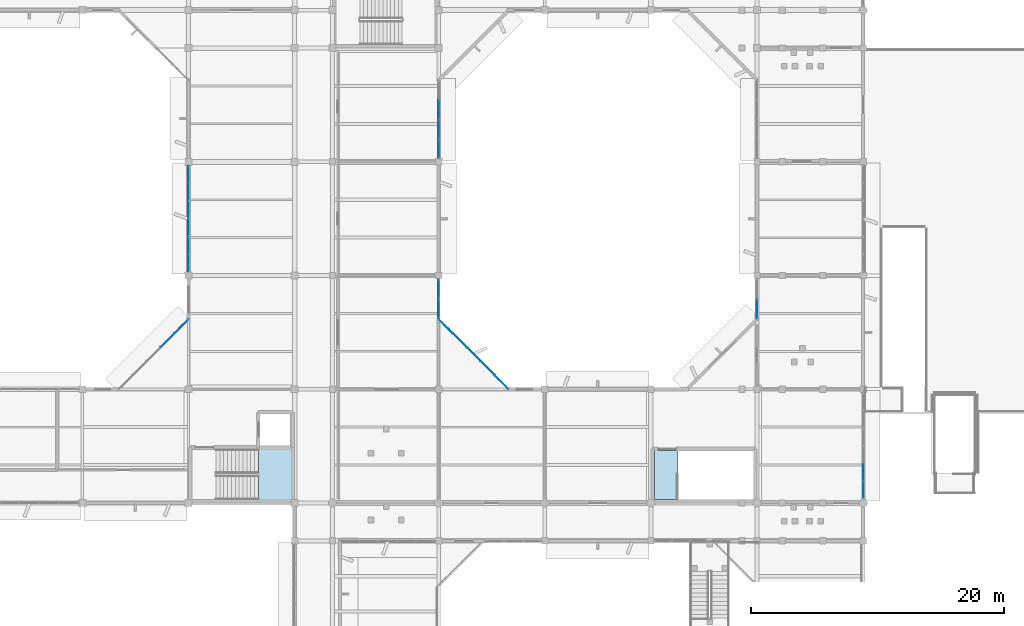
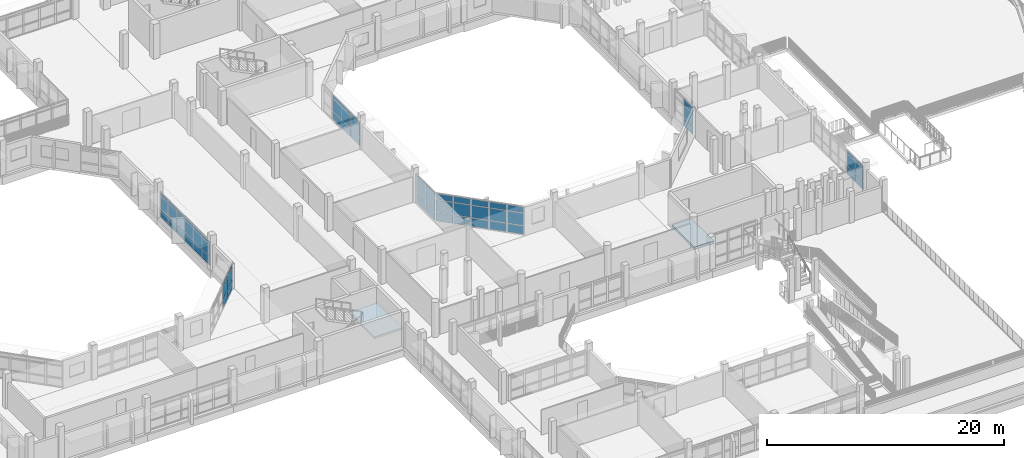
# One storey, part 50 of 92: 63 plates, 2 slabs, 8 elements without a shape of their own.
"""IFC4 building model written with IfcOpenShell, lengths in metres."""

from ifc_helpers import new_model, si_unit, direction, frame, origin, origin_2d, place, context, subcontext, project, spatial, polyline, rectangle, outline, extrude, material, layer, layer_set, type_object, element, aggregate, save


model = new_model("IFC4")

# Units and contexts
model_context = context("Model", 3, precision=1e-05, world=origin(), true_north=direction((0.0, 1.0)))
body_context = subcontext(model_context, "Body", "Model", "MODEL_VIEW")
ifc_project = project(units=[si_unit("LENGTHUNIT", "METRE"), si_unit("AREAUNIT", "SQUARE_METRE"), si_unit("VOLUMEUNIT", "CUBIC_METRE"), si_unit("PLANEANGLEUNIT", "RADIAN"), si_unit("MASSUNIT", "GRAM", prefix="KILO")], contexts=[model_context])

# Site, building, storey
site_placement = place(None, origin())
site = spatial("IfcSite", under=ifc_project, at=site_placement, CompositionType="ELEMENT")
building_placement = place(site_placement, origin())
building = spatial("IfcBuilding", under=site, at=building_placement, Name="Vanh Quang Courtyard School", CompositionType="ELEMENT")
storey_placement = place(building_placement, frame((0.0, 0.0, 7.800048828125)))
storey = spatial("IfcBuildingStorey", under=building, at=storey_placement, Name="L02", CompositionType="ELEMENT", Elevation=7.800048828125)

# Curtain wall, plates
ifc_material_1 = material(Name="Thermally broken aluminium unitised curtain wall", Category="aluminium")
curtain_wall_type_1 = type_object("IfcCurtainWallType", Name="CW-SYS-24", PredefinedType="NOTDEFINED", material=ifc_material_1)
curtain_wall_1_placement = place(storey_placement, origin())
curtain_wall_1 = element("IfcCurtainWall", 1, at=curtain_wall_1_placement, inside=storey, type_object=curtain_wall_type_1, Name="Curtain Wall CW-24 (L02)", PredefinedType="NOTDEFINED")
ifc_material_2 = material(Name="Low-E laminated double glazing", Category="glass")
ifc_layer_1 = layer(ifc_material_2, 0.028076171875)
ifc_layer_set_1 = layer_set([ifc_layer_1], Name="Low-E laminated double glazing")
plate_type_1 = type_object("IfcPlateType", Name="CW-PNL-28", PredefinedType="CURTAIN_PANEL", material=ifc_layer_set_1)
plate_1_placement = place(storey_placement, frame((64.3369140625, 45.28076171875, 0.06005859375), z_axis=(0.0, 0.0, 1.0), x_axis=(0.707106781187, 0.707106781187, 0.0)))
plate_1 = element("IfcPlate", 2, at=plate_1_placement, type_object=plate_type_1, Name="CW-24 panel 4.1", PredefinedType="CURTAIN_PANEL", context=body_context, shape_type="SweptSolid", body=[
    extrude(rectangle(XDim=1.508056640625, YDim=0.028076171875, at=origin_2d()), origin(), (0.0, 0.0, 1.0), 0.860107421875),
])
plate_2_placement = place(storey_placement, frame((64.3369140625, 45.28076171875, 0.97998046875), z_axis=(0.0, 0.0, 1.0), x_axis=(0.707106781187, 0.707106781187, 0.0)))
plate_2 = element("IfcPlate", 3, at=plate_2_placement, type_object=plate_type_1, Name="CW-24 panel 4.2", PredefinedType="CURTAIN_PANEL", context=body_context, shape_type="SweptSolid", body=[
    extrude(rectangle(XDim=1.508056640625, YDim=0.028076171875, at=origin_2d()), origin(), (0.0, 0.0, 1.0), 1.239990234375),
])
plate_3_placement = place(storey_placement, frame((64.3369140625, 45.28076171875, 2.280029296875), z_axis=(0.0, 0.0, 1.0), x_axis=(0.707106781187, 0.707106781187, 0.0)))
plate_3 = element("IfcPlate", 4, at=plate_3_placement, type_object=plate_type_1, Name="CW-24 panel 4.3", PredefinedType="CURTAIN_PANEL", context=body_context, shape_type="SweptSolid", body=[
    extrude(rectangle(XDim=1.508056640625, YDim=0.028076171875, at=origin_2d()), origin(), (0.0, 0.0, 1.0), 0.31005859375),
])
plate_4_placement = place(storey_placement, frame((65.43505859375, 46.37890625, 0.06005859375), z_axis=(0.0, 0.0, 1.0), x_axis=(0.707106781187, 0.707106781187, 0.0)))
plate_4 = element("IfcPlate", 5, at=plate_4_placement, type_object=plate_type_1, Name="CW-24 panel 5.1", PredefinedType="CURTAIN_PANEL", context=body_context, shape_type="SweptSolid", body=[
    extrude(rectangle(XDim=1.47802734375, YDim=0.028076171875, at=origin_2d()), origin(), (0.0, 0.0, 1.0), 0.860107421875),
])
plate_5_placement = place(storey_placement, frame((65.43505859375, 46.37890625, 0.97998046875), z_axis=(0.0, 0.0, 1.0), x_axis=(0.707106781187, 0.707106781187, 0.0)))
plate_5 = element("IfcPlate", 6, at=plate_5_placement, type_object=plate_type_1, Name="CW-24 panel 5.2", PredefinedType="CURTAIN_PANEL", context=body_context, shape_type="SweptSolid", body=[
    extrude(rectangle(XDim=1.47802734375, YDim=0.028076171875, at=origin_2d()), origin(), (0.0, 0.0, 1.0), 1.239990234375),
])
plate_6_placement = place(storey_placement, frame((65.43505859375, 46.37890625, 2.280029296875), z_axis=(0.0, 0.0, 1.0), x_axis=(0.707106781187, 0.707106781187, 0.0)))
plate_6 = element("IfcPlate", 7, at=plate_6_placement, type_object=plate_type_1, Name="CW-24 panel 5.3", PredefinedType="CURTAIN_PANEL", context=body_context, shape_type="SweptSolid", body=[
    extrude(rectangle(XDim=1.47802734375, YDim=0.028076171875, at=origin_2d()), origin(), (0.0, 0.0, 1.0), 0.31005859375),
])
aggregate(curtain_wall_1, [plate_1, plate_2, plate_3, plate_4, plate_5, plate_6])

curtain_wall_type_2 = type_object("IfcCurtainWallType", Name="CW-SYS-52", PredefinedType="NOTDEFINED", material=ifc_material_1)
curtain_wall_2_placement = place(storey_placement, origin())
curtain_wall_2 = element("IfcCurtainWall", 8, at=curtain_wall_2_placement, inside=storey, type_object=curtain_wall_type_2, Name="Curtain Wall CW-52 (L02)", PredefinedType="NOTDEFINED")
plate_7_placement = place(storey_placement, frame((86.36669921875, 46.377197265625, 0.06982421875), z_axis=(0.0, 0.0, 1.0), x_axis=(0.707106781187, -0.707106781187, 0.0)))
plate_7 = element("IfcPlate", 9, at=plate_7_placement, type_object=plate_type_1, Name="CW-52 panel 1.1", PredefinedType="CURTAIN_PANEL", context=body_context, shape_type="SweptSolid", body=[
    extrude(rectangle(XDim=1.463134765625, YDim=0.028076171875, at=origin_2d()), origin(), (0.0, 0.0, 1.0), 0.844970703125),
])
plate_8_placement = place(storey_placement, frame((86.36669921875, 46.377197265625, 0.98486328125), z_axis=(0.0, 0.0, 1.0), x_axis=(0.707106781187, -0.707106781187, 0.0)))
plate_8 = element("IfcPlate", 10, at=plate_8_placement, type_object=plate_type_1, Name="CW-52 panel 1.2", PredefinedType="CURTAIN_PANEL", context=body_context, shape_type="SweptSolid", body=[
    extrude(rectangle(XDim=1.463134765625, YDim=0.028076171875, at=origin_2d()), origin(), (0.0, 0.0, 1.0), 1.22998046875),
])
plate_9_placement = place(storey_placement, frame((86.36669921875, 46.377197265625, 2.28515625), z_axis=(0.0, 0.0, 1.0), x_axis=(0.707106781187, -0.707106781187, 0.0)))
plate_9 = element("IfcPlate", 11, at=plate_9_placement, type_object=plate_type_1, Name="CW-52 panel 1.3", PredefinedType="CURTAIN_PANEL", context=body_context, shape_type="SweptSolid", body=[
    extrude(rectangle(XDim=1.463134765625, YDim=0.028076171875, at=origin_2d()), origin(), (0.0, 0.0, 1.0), 0.594970703125),
])
plate_10_placement = place(storey_placement, frame((87.463134765625, 45.28076171875, 0.06982421875), z_axis=(0.0, 0.0, 1.0), x_axis=(0.707106781187, -0.707106781187, 0.0)))
plate_10 = element("IfcPlate", 12, at=plate_10_placement, type_object=plate_type_1, Name="CW-52 panel 2.1", PredefinedType="CURTAIN_PANEL", context=body_context, shape_type="SweptSolid", body=[
    extrude(rectangle(XDim=1.498046875, YDim=0.028076171875, at=origin_2d()), origin(), (0.0, 0.0, 1.0), 0.844970703125),
])
plate_11_placement = place(storey_placement, frame((87.463134765625, 45.28076171875, 0.98486328125), z_axis=(0.0, 0.0, 1.0), x_axis=(0.707106781187, -0.707106781187, 0.0)))
plate_11 = element("IfcPlate", 13, at=plate_11_placement, type_object=plate_type_1, Name="CW-52 panel 2.2", PredefinedType="CURTAIN_PANEL", context=body_context, shape_type="SweptSolid", body=[
    extrude(rectangle(XDim=1.498046875, YDim=0.028076171875, at=origin_2d()), origin(), (0.0, 0.0, 1.0), 1.22998046875),
])
plate_12_placement = place(storey_placement, frame((87.463134765625, 45.28076171875, 2.28515625), z_axis=(0.0, 0.0, 1.0), x_axis=(0.707106781187, -0.707106781187, 0.0)))
plate_12 = element("IfcPlate", 14, at=plate_12_placement, type_object=plate_type_1, Name="CW-52 panel 2.3", PredefinedType="CURTAIN_PANEL", context=body_context, shape_type="SweptSolid", body=[
    extrude(rectangle(XDim=1.498046875, YDim=0.028076171875, at=origin_2d()), origin(), (0.0, 0.0, 1.0), 0.594970703125),
])
plate_13_placement = place(storey_placement, frame((88.572021484375, 44.172119140625, 0.06982421875), z_axis=(0.0, 0.0, 1.0), x_axis=(0.707106781187, -0.707106781187, 0.0)))
plate_13 = element("IfcPlate", 15, at=plate_13_placement, type_object=plate_type_1, Name="CW-52 panel 3.1", PredefinedType="CURTAIN_PANEL", context=body_context, shape_type="SweptSolid", body=[
    extrude(rectangle(XDim=1.498046875, YDim=0.028076171875, at=origin_2d()), origin(), (0.0, 0.0, 1.0), 0.844970703125),
])
plate_14_placement = place(storey_placement, frame((88.572021484375, 44.172119140625, 0.98486328125), z_axis=(0.0, 0.0, 1.0), x_axis=(0.707106781187, -0.707106781187, 0.0)))
plate_14 = element("IfcPlate", 16, at=plate_14_placement, type_object=plate_type_1, Name="CW-52 panel 3.2", PredefinedType="CURTAIN_PANEL", context=body_context, shape_type="SweptSolid", body=[
    extrude(rectangle(XDim=1.498046875, YDim=0.028076171875, at=origin_2d()), origin(), (0.0, 0.0, 1.0), 1.22998046875),
])
plate_15_placement = place(storey_placement, frame((88.572021484375, 44.172119140625, 2.28515625), z_axis=(0.0, 0.0, 1.0), x_axis=(0.707106781187, -0.707106781187, 0.0)))
plate_15 = element("IfcPlate", 17, at=plate_15_placement, type_object=plate_type_1, Name="CW-52 panel 3.3", PredefinedType="CURTAIN_PANEL", context=body_context, shape_type="SweptSolid", body=[
    extrude(rectangle(XDim=1.498046875, YDim=0.028076171875, at=origin_2d()), origin(), (0.0, 0.0, 1.0), 0.594970703125),
])
plate_16_placement = place(storey_placement, frame((89.680908203125, 43.063232421875, 0.06982421875), z_axis=(0.0, 0.0, 1.0), x_axis=(0.707106781187, -0.707106781187, 0.0)))
plate_16 = element("IfcPlate", 18, at=plate_16_placement, type_object=plate_type_1, Name="CW-52 panel 4.1", PredefinedType="CURTAIN_PANEL", context=body_context, shape_type="SweptSolid", body=[
    extrude(rectangle(XDim=1.498046875, YDim=0.028076171875, at=origin_2d()), origin(), (0.0, 0.0, 1.0), 0.844970703125),
])
plate_17_placement = place(storey_placement, frame((89.680908203125, 43.063232421875, 0.98486328125), z_axis=(0.0, 0.0, 1.0), x_axis=(0.707106781187, -0.707106781187, 0.0)))
plate_17 = element("IfcPlate", 19, at=plate_17_placement, type_object=plate_type_1, Name="CW-52 panel 4.2", PredefinedType="CURTAIN_PANEL", context=body_context, shape_type="SweptSolid", body=[
    extrude(rectangle(XDim=1.498046875, YDim=0.028076171875, at=origin_2d()), origin(), (0.0, 0.0, 1.0), 1.22998046875),
])
plate_18_placement = place(storey_placement, frame((89.680908203125, 43.063232421875, 2.28515625), z_axis=(0.0, 0.0, 1.0), x_axis=(0.707106781187, -0.707106781187, 0.0)))
plate_18 = element("IfcPlate", 20, at=plate_18_placement, type_object=plate_type_1, Name="CW-52 panel 4.3", PredefinedType="CURTAIN_PANEL", context=body_context, shape_type="SweptSolid", body=[
    extrude(rectangle(XDim=1.498046875, YDim=0.028076171875, at=origin_2d()), origin(), (0.0, 0.0, 1.0), 0.594970703125),
])
plate_19_placement = place(storey_placement, frame((90.77734375, 41.966796875, 0.06982421875), z_axis=(0.0, 0.0, 1.0), x_axis=(0.707106781187, -0.707106781187, 0.0)))
plate_19 = element("IfcPlate", 21, at=plate_19_placement, type_object=plate_type_1, Name="CW-52 panel 5.1", PredefinedType="CURTAIN_PANEL", context=body_context, shape_type="SweptSolid", body=[
    extrude(rectangle(XDim=1.463134765625, YDim=0.028076171875, at=origin_2d()), origin(), (0.0, 0.0, 1.0), 0.844970703125),
])
plate_20_placement = place(storey_placement, frame((90.77734375, 41.966796875, 0.98486328125), z_axis=(0.0, 0.0, 1.0), x_axis=(0.707106781187, -0.707106781187, 0.0)))
plate_20 = element("IfcPlate", 22, at=plate_20_placement, type_object=plate_type_1, Name="CW-52 panel 5.2", PredefinedType="CURTAIN_PANEL", context=body_context, shape_type="SweptSolid", body=[
    extrude(rectangle(XDim=1.463134765625, YDim=0.028076171875, at=origin_2d()), origin(), (0.0, 0.0, 1.0), 1.22998046875),
])
plate_21_placement = place(storey_placement, frame((90.77734375, 41.966796875, 2.28515625), z_axis=(0.0, 0.0, 1.0), x_axis=(0.707106781187, -0.707106781187, 0.0)))
plate_21 = element("IfcPlate", 23, at=plate_21_placement, type_object=plate_type_1, Name="CW-52 panel 5.3", PredefinedType="CURTAIN_PANEL", context=body_context, shape_type="SweptSolid", body=[
    extrude(rectangle(XDim=1.463134765625, YDim=0.028076171875, at=origin_2d()), origin(), (0.0, 0.0, 1.0), 0.594970703125),
])
aggregate(curtain_wall_2, [plate_7, plate_8, plate_9, plate_10, plate_11, plate_12, plate_13, plate_14, plate_15, plate_16, plate_17, plate_18, plate_19, plate_20, plate_21])

curtain_wall_type_3 = type_object("IfcCurtainWallType", Name="CW-SYS-53", PredefinedType="NOTDEFINED", material=ifc_material_1)
curtain_wall_3_placement = place(storey_placement, origin())
curtain_wall_3 = element("IfcCurtainWall", 24, at=curtain_wall_3_placement, inside=storey, type_object=curtain_wall_type_3, Name="Curtain Wall CW-53 (L02)", PredefinedType="NOTDEFINED")
plate_22_placement = place(storey_placement, frame((85.800048828125, 49.322509765625, 0.079833984375), z_axis=(0.0, 0.0, 1.0), x_axis=(0.0, -1.0, 0.0)))
plate_22 = element("IfcPlate", 25, at=plate_22_placement, type_object=plate_type_1, Name="CW-53 panel 1.1", PredefinedType="CURTAIN_PANEL", context=body_context, shape_type="SweptSolid", body=[
    extrude(rectangle(XDim=1.47900390625, YDim=0.028076171875, at=origin_2d()), origin(), (0.0, 0.0, 1.0), 0.830078125),
])
plate_23_placement = place(storey_placement, frame((85.800048828125, 49.322509765625, 0.98974609375), z_axis=(0.0, 0.0, 1.0), x_axis=(0.0, -1.0, 0.0)))
plate_23 = element("IfcPlate", 26, at=plate_23_placement, type_object=plate_type_1, Name="CW-53 panel 1.2", PredefinedType="CURTAIN_PANEL", context=body_context, shape_type="SweptSolid", body=[
    extrude(rectangle(XDim=1.47900390625, YDim=0.028076171875, at=origin_2d()), origin(), (0.0, 0.0, 1.0), 1.219970703125),
])
plate_24_placement = place(storey_placement, frame((85.800048828125, 49.322509765625, 2.2900390625), z_axis=(0.0, 0.0, 1.0), x_axis=(0.0, -1.0, 0.0)))
plate_24 = element("IfcPlate", 27, at=plate_24_placement, type_object=plate_type_1, Name="CW-53 panel 1.3", PredefinedType="CURTAIN_PANEL", context=body_context, shape_type="SweptSolid", body=[
    extrude(rectangle(XDim=1.47900390625, YDim=0.028076171875, at=origin_2d()), origin(), (0.0, 0.0, 1.0), 0.610107421875),
])
plate_25_placement = place(storey_placement, frame((85.800048828125, 47.763427734375, 0.079833984375), z_axis=(0.0, 0.0, 1.0), x_axis=(0.0, -1.0, 0.0)))
plate_25 = element("IfcPlate", 28, at=plate_25_placement, type_object=plate_type_1, Name="CW-53 panel 2.1", PredefinedType="CURTAIN_PANEL", context=body_context, shape_type="SweptSolid", body=[
    extrude(rectangle(XDim=1.47900390625, YDim=0.028076171875, at=origin_2d()), origin(), (0.0, 0.0, 1.0), 0.830078125),
])
plate_26_placement = place(storey_placement, frame((85.800048828125, 47.763427734375, 0.98974609375), z_axis=(0.0, 0.0, 1.0), x_axis=(0.0, -1.0, 0.0)))
plate_26 = element("IfcPlate", 29, at=plate_26_placement, type_object=plate_type_1, Name="CW-53 panel 2.2", PredefinedType="CURTAIN_PANEL", context=body_context, shape_type="SweptSolid", body=[
    extrude(rectangle(XDim=1.47900390625, YDim=0.028076171875, at=origin_2d()), origin(), (0.0, 0.0, 1.0), 1.219970703125),
])
plate_27_placement = place(storey_placement, frame((85.800048828125, 47.763427734375, 2.2900390625), z_axis=(0.0, 0.0, 1.0), x_axis=(0.0, -1.0, 0.0)))
plate_27 = element("IfcPlate", 30, at=plate_27_placement, type_object=plate_type_1, Name="CW-53 panel 2.3", PredefinedType="CURTAIN_PANEL", context=body_context, shape_type="SweptSolid", body=[
    extrude(rectangle(XDim=1.47900390625, YDim=0.028076171875, at=origin_2d()), origin(), (0.0, 0.0, 1.0), 0.610107421875),
])
aggregate(curtain_wall_3, [plate_22, plate_23, plate_24, plate_25, plate_26, plate_27])

curtain_wall_type_4 = type_object("IfcCurtainWallType", Name="CW-SYS-48", PredefinedType="NOTDEFINED", material=ifc_material_1)
curtain_wall_4_placement = place(storey_placement, origin())
curtain_wall_4 = element("IfcCurtainWall", 31, at=curtain_wall_4_placement, inside=storey, type_object=curtain_wall_type_4, Name="Curtain Wall CW-48 (L02)", PredefinedType="NOTDEFINED")
ifc_layer_2 = layer(ifc_material_2, 0.031982421875)
ifc_layer_set_2 = layer_set([ifc_layer_2], Name="Low-E laminated double glazing")
plate_type_2 = type_object("IfcPlateType", Name="CW-PNL-32", PredefinedType="CURTAIN_PANEL", material=ifc_layer_set_2)
plate_28_placement = place(storey_placement, frame((119.39990234375, 34.835205078125, 0.06982421875), z_axis=(0.0, 0.0, 1.0), x_axis=(0.0, -1.0, 0.0)))
plate_28 = element("IfcPlate", 32, at=plate_28_placement, type_object=plate_type_2, Name="CW-48 panel 5.1", PredefinedType="CURTAIN_PANEL", context=body_context, shape_type="SweptSolid", body=[
    extrude(rectangle(XDim=1.33154296875, YDim=0.031982421875, at=origin_2d()), origin(), (0.0, 0.0, 1.0), 0.844970703125),
])
plate_29_placement = place(storey_placement, frame((119.39990234375, 34.835205078125, 0.98486328125), z_axis=(0.0, 0.0, 1.0), x_axis=(0.0, -1.0, 0.0)))
plate_29 = element("IfcPlate", 33, at=plate_29_placement, type_object=plate_type_2, Name="CW-48 panel 5.2", PredefinedType="CURTAIN_PANEL", context=body_context, shape_type="SweptSolid", body=[
    extrude(rectangle(XDim=1.33154296875, YDim=0.031982421875, at=origin_2d()), origin(), (0.0, 0.0, 1.0), 1.22998046875),
])
plate_30_placement = place(storey_placement, frame((119.39990234375, 34.835205078125, 2.284912109375), z_axis=(0.0, 0.0, 1.0), x_axis=(0.0, -1.0, 0.0)))
plate_30 = element("IfcPlate", 34, at=plate_30_placement, type_object=plate_type_2, Name="CW-48 panel 5.3", PredefinedType="CURTAIN_PANEL", context=body_context, shape_type="SweptSolid", body=[
    extrude(rectangle(XDim=1.33154296875, YDim=0.031982421875, at=origin_2d()), origin(), (0.0, 0.0, 1.0), 0.22509765625),
])
plate_31_placement = place(storey_placement, frame((119.39990234375, 33.451171875, 0.06982421875), z_axis=(0.0, 0.0, 1.0), x_axis=(0.0, -1.0, 0.0)))
plate_31 = element("IfcPlate", 35, at=plate_31_placement, type_object=plate_type_2, Name="CW-48 panel 6.1", PredefinedType="CURTAIN_PANEL", context=body_context, shape_type="SweptSolid", body=[
    extrude(rectangle(XDim=1.29638671875, YDim=0.031982421875, at=origin_2d()), origin(), (0.0, 0.0, 1.0), 0.844970703125),
])
plate_32_placement = place(storey_placement, frame((119.39990234375, 33.451171875, 0.98486328125), z_axis=(0.0, 0.0, 1.0), x_axis=(0.0, -1.0, 0.0)))
plate_32 = element("IfcPlate", 36, at=plate_32_placement, type_object=plate_type_2, Name="CW-48 panel 6.2", PredefinedType="CURTAIN_PANEL", context=body_context, shape_type="SweptSolid", body=[
    extrude(rectangle(XDim=1.29638671875, YDim=0.031982421875, at=origin_2d()), origin(), (0.0, 0.0, 1.0), 1.22998046875),
])
plate_33_placement = place(storey_placement, frame((119.39990234375, 33.451171875, 2.284912109375), z_axis=(0.0, 0.0, 1.0), x_axis=(0.0, -1.0, 0.0)))
plate_33 = element("IfcPlate", 37, at=plate_33_placement, type_object=plate_type_2, Name="CW-48 panel 6.3", PredefinedType="CURTAIN_PANEL", context=body_context, shape_type="SweptSolid", body=[
    extrude(rectangle(XDim=1.29638671875, YDim=0.031982421875, at=origin_2d()), origin(), (0.0, 0.0, 1.0), 0.22509765625),
])
aggregate(curtain_wall_4, [plate_28, plate_29, plate_30, plate_31, plate_32, plate_33])

curtain_wall_5_placement = place(storey_placement, origin())
curtain_wall_5 = element("IfcCurtainWall", 38, at=curtain_wall_5_placement, inside=storey, type_object=curtain_wall_type_4, Name="Curtain Wall CW-48 (L02)", PredefinedType="NOTDEFINED")
plate_34_placement = place(storey_placement, frame((66.0, 51.4033203125, 0.06982421875), z_axis=(0.0, 0.0, 1.0), x_axis=(0.0, 1.0, 0.0)))
plate_34 = element("IfcPlate", 39, at=plate_34_placement, type_object=plate_type_2, Name="CW-48 panel 1.1", PredefinedType="CURTAIN_PANEL", context=body_context, shape_type="SweptSolid", body=[
    extrude(rectangle(XDim=1.30078125, YDim=0.031982421875, at=origin_2d()), origin(), (0.0, 0.0, 1.0), 0.844970703125),
])
plate_35_placement = place(storey_placement, frame((66.0, 51.4033203125, 0.98486328125), z_axis=(0.0, 0.0, 1.0), x_axis=(0.0, 1.0, 0.0)))
plate_35 = element("IfcPlate", 40, at=plate_35_placement, type_object=plate_type_2, Name="CW-48 panel 1.2", PredefinedType="CURTAIN_PANEL", context=body_context, shape_type="SweptSolid", body=[
    extrude(rectangle(XDim=1.30078125, YDim=0.031982421875, at=origin_2d()), origin(), (0.0, 0.0, 1.0), 1.22998046875),
])
plate_36_placement = place(storey_placement, frame((66.0, 51.4033203125, 2.284912109375), z_axis=(0.0, 0.0, 1.0), x_axis=(0.0, 1.0, 0.0)))
plate_36 = element("IfcPlate", 41, at=plate_36_placement, type_object=plate_type_2, Name="CW-48 panel 1.3", PredefinedType="CURTAIN_PANEL", context=body_context, shape_type="SweptSolid", body=[
    extrude(rectangle(XDim=1.30078125, YDim=0.031982421875, at=origin_2d()), origin(), (0.0, 0.0, 1.0), 0.2451171875),
])
plate_37_placement = place(storey_placement, frame((66.0, 52.79150390625, 0.06982421875), z_axis=(0.0, 0.0, 1.0), x_axis=(0.0, 1.0, 0.0)))
plate_37 = element("IfcPlate", 42, at=plate_37_placement, type_object=plate_type_2, Name="CW-48 panel 2.1", PredefinedType="CURTAIN_PANEL", context=body_context, shape_type="SweptSolid", body=[
    extrude(rectangle(XDim=1.335693359375, YDim=0.031982421875, at=origin_2d()), origin(), (0.0, 0.0, 1.0), 0.844970703125),
])
plate_38_placement = place(storey_placement, frame((66.0, 52.79150390625, 0.98486328125), z_axis=(0.0, 0.0, 1.0), x_axis=(0.0, 1.0, 0.0)))
plate_38 = element("IfcPlate", 43, at=plate_38_placement, type_object=plate_type_2, Name="CW-48 panel 2.2", PredefinedType="CURTAIN_PANEL", context=body_context, shape_type="SweptSolid", body=[
    extrude(rectangle(XDim=1.335693359375, YDim=0.031982421875, at=origin_2d()), origin(), (0.0, 0.0, 1.0), 1.22998046875),
])
plate_39_placement = place(storey_placement, frame((66.0, 52.79150390625, 2.284912109375), z_axis=(0.0, 0.0, 1.0), x_axis=(0.0, 1.0, 0.0)))
plate_39 = element("IfcPlate", 44, at=plate_39_placement, type_object=plate_type_2, Name="CW-48 panel 2.3", PredefinedType="CURTAIN_PANEL", context=body_context, shape_type="SweptSolid", body=[
    extrude(rectangle(XDim=1.335693359375, YDim=0.031982421875, at=origin_2d()), origin(), (0.0, 0.0, 1.0), 0.2451171875),
])
plate_40_placement = place(storey_placement, frame((66.0, 54.197265625, 0.06982421875), z_axis=(0.0, 0.0, 1.0), x_axis=(0.0, 1.0, 0.0)))
plate_40 = element("IfcPlate", 45, at=plate_40_placement, type_object=plate_type_2, Name="CW-48 panel 3.1", PredefinedType="CURTAIN_PANEL", context=body_context, shape_type="SweptSolid", body=[
    extrude(rectangle(XDim=1.335693359375, YDim=0.031982421875, at=origin_2d()), origin(), (0.0, 0.0, 1.0), 0.844970703125),
])
plate_41_placement = place(storey_placement, frame((66.0, 54.197265625, 0.98486328125), z_axis=(0.0, 0.0, 1.0), x_axis=(0.0, 1.0, 0.0)))
plate_41 = element("IfcPlate", 46, at=plate_41_placement, type_object=plate_type_2, Name="CW-48 panel 3.2", PredefinedType="CURTAIN_PANEL", context=body_context, shape_type="SweptSolid", body=[
    extrude(rectangle(XDim=1.335693359375, YDim=0.031982421875, at=origin_2d()), origin(), (0.0, 0.0, 1.0), 1.22998046875),
])
plate_42_placement = place(storey_placement, frame((66.0, 54.197265625, 2.284912109375), z_axis=(0.0, 0.0, 1.0), x_axis=(0.0, 1.0, 0.0)))
plate_42 = element("IfcPlate", 47, at=plate_42_placement, type_object=plate_type_2, Name="CW-48 panel 3.3", PredefinedType="CURTAIN_PANEL", context=body_context, shape_type="SweptSolid", body=[
    extrude(rectangle(XDim=1.335693359375, YDim=0.031982421875, at=origin_2d()), origin(), (0.0, 0.0, 1.0), 0.2451171875),
])
plate_43_placement = place(storey_placement, frame((66.0, 55.602783203125, 0.06982421875), z_axis=(0.0, 0.0, 1.0), x_axis=(0.0, 1.0, 0.0)))
plate_43 = element("IfcPlate", 48, at=plate_43_placement, type_object=plate_type_2, Name="CW-48 panel 4.1", PredefinedType="CURTAIN_PANEL", context=body_context, shape_type="SweptSolid", body=[
    extrude(rectangle(XDim=1.335693359375, YDim=0.031982421875, at=origin_2d()), origin(), (0.0, 0.0, 1.0), 0.844970703125),
])
plate_44_placement = place(storey_placement, frame((66.0, 55.602783203125, 0.98486328125), z_axis=(0.0, 0.0, 1.0), x_axis=(0.0, 1.0, 0.0)))
plate_44 = element("IfcPlate", 49, at=plate_44_placement, type_object=plate_type_2, Name="CW-48 panel 4.2", PredefinedType="CURTAIN_PANEL", context=body_context, shape_type="SweptSolid", body=[
    extrude(rectangle(XDim=1.335693359375, YDim=0.031982421875, at=origin_2d()), origin(), (0.0, 0.0, 1.0), 1.22998046875),
])
plate_45_placement = place(storey_placement, frame((66.0, 55.602783203125, 2.284912109375), z_axis=(0.0, 0.0, 1.0), x_axis=(0.0, 1.0, 0.0)))
plate_45 = element("IfcPlate", 50, at=plate_45_placement, type_object=plate_type_2, Name="CW-48 panel 4.3", PredefinedType="CURTAIN_PANEL", context=body_context, shape_type="SweptSolid", body=[
    extrude(rectangle(XDim=1.335693359375, YDim=0.031982421875, at=origin_2d()), origin(), (0.0, 0.0, 1.0), 0.2451171875),
])
plate_46_placement = place(storey_placement, frame((66.0, 57.008544921875, 0.06982421875), z_axis=(0.0, 0.0, 1.0), x_axis=(0.0, 1.0, 0.0)))
plate_46 = element("IfcPlate", 51, at=plate_46_placement, type_object=plate_type_2, Name="CW-48 panel 5.1", PredefinedType="CURTAIN_PANEL", context=body_context, shape_type="SweptSolid", body=[
    extrude(rectangle(XDim=1.335693359375, YDim=0.031982421875, at=origin_2d()), origin(), (0.0, 0.0, 1.0), 0.844970703125),
])
plate_47_placement = place(storey_placement, frame((66.0, 57.008544921875, 0.98486328125), z_axis=(0.0, 0.0, 1.0), x_axis=(0.0, 1.0, 0.0)))
plate_47 = element("IfcPlate", 52, at=plate_47_placement, type_object=plate_type_2, Name="CW-48 panel 5.2", PredefinedType="CURTAIN_PANEL", context=body_context, shape_type="SweptSolid", body=[
    extrude(rectangle(XDim=1.335693359375, YDim=0.031982421875, at=origin_2d()), origin(), (0.0, 0.0, 1.0), 1.22998046875),
])
plate_48_placement = place(storey_placement, frame((66.0, 57.008544921875, 2.284912109375), z_axis=(0.0, 0.0, 1.0), x_axis=(0.0, 1.0, 0.0)))
plate_48 = element("IfcPlate", 53, at=plate_48_placement, type_object=plate_type_2, Name="CW-48 panel 5.3", PredefinedType="CURTAIN_PANEL", context=body_context, shape_type="SweptSolid", body=[
    extrude(rectangle(XDim=1.335693359375, YDim=0.031982421875, at=origin_2d()), origin(), (0.0, 0.0, 1.0), 0.2451171875),
])
plate_49_placement = place(storey_placement, frame((66.0, 58.396728515625, 0.06982421875), z_axis=(0.0, 0.0, 1.0), x_axis=(0.0, 1.0, 0.0)))
plate_49 = element("IfcPlate", 54, at=plate_49_placement, type_object=plate_type_2, Name="CW-48 panel 6.1", PredefinedType="CURTAIN_PANEL", context=body_context, shape_type="SweptSolid", body=[
    extrude(rectangle(XDim=1.30078125, YDim=0.031982421875, at=origin_2d()), origin(), (0.0, 0.0, 1.0), 0.844970703125),
])
plate_50_placement = place(storey_placement, frame((66.0, 58.396728515625, 0.98486328125), z_axis=(0.0, 0.0, 1.0), x_axis=(0.0, 1.0, 0.0)))
plate_50 = element("IfcPlate", 55, at=plate_50_placement, type_object=plate_type_2, Name="CW-48 panel 6.2", PredefinedType="CURTAIN_PANEL", context=body_context, shape_type="SweptSolid", body=[
    extrude(rectangle(XDim=1.30078125, YDim=0.031982421875, at=origin_2d()), origin(), (0.0, 0.0, 1.0), 1.22998046875),
])
plate_51_placement = place(storey_placement, frame((66.0, 58.396728515625, 2.284912109375), z_axis=(0.0, 0.0, 1.0), x_axis=(0.0, 1.0, 0.0)))
plate_51 = element("IfcPlate", 56, at=plate_51_placement, type_object=plate_type_2, Name="CW-48 panel 6.3", PredefinedType="CURTAIN_PANEL", context=body_context, shape_type="SweptSolid", body=[
    extrude(rectangle(XDim=1.30078125, YDim=0.031982421875, at=origin_2d()), origin(), (0.0, 0.0, 1.0), 0.2451171875),
])
aggregate(curtain_wall_5, [plate_34, plate_35, plate_36, plate_37, plate_38, plate_39, plate_40, plate_41, plate_42, plate_43, plate_44, plate_45, plate_46, plate_47, plate_48, plate_49, plate_50, plate_51])

curtain_wall_type_5 = type_object("IfcCurtainWallType", Name="CW-SYS-45", PredefinedType="NOTDEFINED", material=ifc_material_1)
curtain_wall_6_placement = place(storey_placement, origin())
curtain_wall_6 = element("IfcCurtainWall", 57, at=curtain_wall_6_placement, inside=storey, type_object=curtain_wall_type_5, Name="Curtain Wall CW-45 (L02)", PredefinedType="NOTDEFINED")
plate_52_placement = place(storey_placement, frame((111.0, 47.763427734375, 0.079833984375), z_axis=(0.0, 0.0, 1.0), x_axis=(0.0, 1.0, 0.0)))
plate_52 = element("IfcPlate", 58, at=plate_52_placement, type_object=plate_type_2, Name="CW-45 panel 1.1", PredefinedType="CURTAIN_PANEL", context=body_context, shape_type="SweptSolid", body=[
    extrude(rectangle(XDim=1.47900390625, YDim=0.031982421875, at=origin_2d()), origin(), (0.0, 0.0, 1.0), 0.830078125),
])
plate_53_placement = place(storey_placement, frame((111.0, 47.763427734375, 0.98974609375), z_axis=(0.0, 0.0, 1.0), x_axis=(0.0, 1.0, 0.0)))
plate_53 = element("IfcPlate", 59, at=plate_53_placement, type_object=plate_type_2, Name="CW-45 panel 1.2", PredefinedType="CURTAIN_PANEL", context=body_context, shape_type="SweptSolid", body=[
    extrude(rectangle(XDim=1.47900390625, YDim=0.031982421875, at=origin_2d()), origin(), (0.0, 0.0, 1.0), 1.219970703125),
])
plate_54_placement = place(storey_placement, frame((111.0, 47.763427734375, 2.2900390625), z_axis=(0.0, 0.0, 1.0), x_axis=(0.0, 1.0, 0.0)))
plate_54 = element("IfcPlate", 60, at=plate_54_placement, type_object=plate_type_2, Name="CW-45 panel 1.3", PredefinedType="CURTAIN_PANEL", context=body_context, shape_type="SweptSolid", body=[
    extrude(rectangle(XDim=1.47900390625, YDim=0.031982421875, at=origin_2d()), origin(), (0.0, 0.0, 1.0), 0.570068359375),
])
aggregate(curtain_wall_6, [plate_52, plate_53, plate_54])

curtain_wall_type_6 = type_object("IfcCurtainWallType", Name="CW-SYS-44", PredefinedType="NOTDEFINED", material=ifc_material_1)
curtain_wall_7_placement = place(storey_placement, origin())
curtain_wall_7 = element("IfcCurtainWall", 61, at=curtain_wall_7_placement, inside=storey, type_object=curtain_wall_type_6, Name="Curtain Wall CW-44 (L02)", PredefinedType="NOTDEFINED")
plate_55_placement = place(storey_placement, frame((85.800048828125, 63.53173828125, 0.06982421875), z_axis=(0.0, 0.0, 1.0), x_axis=(0.0, -1.0, 0.0)))
plate_55 = element("IfcPlate", 62, at=plate_55_placement, type_object=plate_type_2, Name="CW-44 panel 2.1", PredefinedType="CURTAIN_PANEL", context=body_context, shape_type="SweptSolid", body=[
    extrude(rectangle(XDim=1.4794921875, YDim=0.031982421875, at=origin_2d()), origin(), (0.0, 0.0, 1.0), 0.844970703125),
])
plate_56_placement = place(storey_placement, frame((85.800048828125, 63.53173828125, 0.98486328125), z_axis=(0.0, 0.0, 1.0), x_axis=(0.0, -1.0, 0.0)))
plate_56 = element("IfcPlate", 63, at=plate_56_placement, type_object=plate_type_2, Name="CW-44 panel 2.2", PredefinedType="CURTAIN_PANEL", context=body_context, shape_type="SweptSolid", body=[
    extrude(rectangle(XDim=1.4794921875, YDim=0.031982421875, at=origin_2d()), origin(), (0.0, 0.0, 1.0), 1.22998046875),
])
plate_57_placement = place(storey_placement, frame((85.800048828125, 63.53173828125, 2.28515625), z_axis=(0.0, 0.0, 1.0), x_axis=(0.0, -1.0, 0.0)))
plate_57 = element("IfcPlate", 64, at=plate_57_placement, type_object=plate_type_2, Name="CW-44 panel 2.3", PredefinedType="CURTAIN_PANEL", context=body_context, shape_type="SweptSolid", body=[
    extrude(rectangle(XDim=1.4794921875, YDim=0.031982421875, at=origin_2d()), origin(), (0.0, 0.0, 1.0), 0.284912109375),
])
plate_58_placement = place(storey_placement, frame((85.800048828125, 61.982177734375, 0.06982421875), z_axis=(0.0, 0.0, 1.0), x_axis=(0.0, -1.0, 0.0)))
plate_58 = element("IfcPlate", 65, at=plate_58_placement, type_object=plate_type_2, Name="CW-44 panel 3.1", PredefinedType="CURTAIN_PANEL", context=body_context, shape_type="SweptSolid", body=[
    extrude(rectangle(XDim=1.4794921875, YDim=0.031982421875, at=origin_2d()), origin(), (0.0, 0.0, 1.0), 0.844970703125),
])
plate_59_placement = place(storey_placement, frame((85.800048828125, 61.982177734375, 0.98486328125), z_axis=(0.0, 0.0, 1.0), x_axis=(0.0, -1.0, 0.0)))
plate_59 = element("IfcPlate", 66, at=plate_59_placement, type_object=plate_type_2, Name="CW-44 panel 3.2", PredefinedType="CURTAIN_PANEL", context=body_context, shape_type="SweptSolid", body=[
    extrude(rectangle(XDim=1.4794921875, YDim=0.031982421875, at=origin_2d()), origin(), (0.0, 0.0, 1.0), 1.22998046875),
])
plate_60_placement = place(storey_placement, frame((85.800048828125, 61.982177734375, 2.28515625), z_axis=(0.0, 0.0, 1.0), x_axis=(0.0, -1.0, 0.0)))
plate_60 = element("IfcPlate", 67, at=plate_60_placement, type_object=plate_type_2, Name="CW-44 panel 3.3", PredefinedType="CURTAIN_PANEL", context=body_context, shape_type="SweptSolid", body=[
    extrude(rectangle(XDim=1.4794921875, YDim=0.031982421875, at=origin_2d()), origin(), (0.0, 0.0, 1.0), 0.284912109375),
])
plate_61_placement = place(storey_placement, frame((85.800048828125, 60.4501953125, 0.06982421875), z_axis=(0.0, 0.0, 1.0), x_axis=(0.0, -1.0, 0.0)))
plate_61 = element("IfcPlate", 68, at=plate_61_placement, type_object=plate_type_2, Name="CW-44 panel 4.1", PredefinedType="CURTAIN_PANEL", context=body_context, shape_type="SweptSolid", body=[
    extrude(rectangle(XDim=1.444580078125, YDim=0.031982421875, at=origin_2d()), origin(), (0.0, 0.0, 1.0), 0.844970703125),
])
plate_62_placement = place(storey_placement, frame((85.800048828125, 60.4501953125, 0.98486328125), z_axis=(0.0, 0.0, 1.0), x_axis=(0.0, -1.0, 0.0)))
plate_62 = element("IfcPlate", 69, at=plate_62_placement, type_object=plate_type_2, Name="CW-44 panel 4.2", PredefinedType="CURTAIN_PANEL", context=body_context, shape_type="SweptSolid", body=[
    extrude(rectangle(XDim=1.444580078125, YDim=0.031982421875, at=origin_2d()), origin(), (0.0, 0.0, 1.0), 1.22998046875),
])
plate_63_placement = place(storey_placement, frame((85.800048828125, 60.4501953125, 2.28515625), z_axis=(0.0, 0.0, 1.0), x_axis=(0.0, -1.0, 0.0)))
plate_63 = element("IfcPlate", 70, at=plate_63_placement, type_object=plate_type_2, Name="CW-44 panel 4.3", PredefinedType="CURTAIN_PANEL", context=body_context, shape_type="SweptSolid", body=[
    extrude(rectangle(XDim=1.444580078125, YDim=0.031982421875, at=origin_2d()), origin(), (0.0, 0.0, 1.0), 0.284912109375),
])
aggregate(curtain_wall_7, [plate_55, plate_56, plate_57, plate_58, plate_59, plate_60, plate_61, plate_62, plate_63])

# Slab
ifc_material_3 = material(Name="Concrete C30/37", Category="concrete")
ifc_layer_3 = layer(ifc_material_3, 0.280029296875)
ifc_layer_set_3 = layer_set([ifc_layer_3], Name="Concrete C30/37")
slab_type_1 = type_object("IfcSlabType", Name="SLB-FLR-280", PredefinedType="FLOOR", material=ifc_layer_set_3)
slab_1_placement = place(storey_placement, frame((0.0, 0.0, -0.280029296875)))
element("IfcSlab", 71, at=slab_1_placement, inside=storey, type_object=slab_type_1, Name="Slab SF-02 (L02)", PredefinedType="FLOOR", context=body_context, shape_type="SweptSolid", body=[
    extrude(outline(polyline([(104.760009765625, 32.679931640625), (102.8798828125, 32.679931640625), (102.8798828125, 36.5400390625), (104.760009765625, 36.5400390625), (104.760009765625, 32.679931640625)])), origin(), (0.0, 0.0, 1.0), 0.280029296875),
])

# Stair, slab
stair_type = type_object("IfcStairType", Name="STR-CORE-1900", PredefinedType="HALF_TURN_STAIR", material=ifc_material_3)
stair_placement = place(storey_placement, origin())
stair = element("IfcStair", 72, at=stair_placement, inside=storey, type_object=stair_type, Name="L02 ST-04", PredefinedType="HALF_TURN_STAIR")
ifc_layer_4 = layer(ifc_material_3, 0.199951171875)
ifc_layer_set_4 = layer_set([ifc_layer_4], Name="Concrete C30/37")
slab_type_2 = type_object("IfcSlabType", Name="SLB-LND-200", PredefinedType="LANDING", material=ifc_layer_set_4)
slab_2_placement = place(storey_placement, frame((0.0, 0.0, 1.599853515625)))
slab_2 = element("IfcSlab", 73, at=slab_2_placement, type_object=slab_type_2, Name="ST-04 landing 1", PredefinedType="LANDING", context=body_context, shape_type="SweptSolid", body=[
    extrude(outline(polyline([(71.534912109375, 32.52001953125), (74.280029296875, 32.52001953125), (74.280029296875, 36.800048828125), (71.534912109375, 36.800048828125), (71.534912109375, 32.52001953125)])), origin(), (0.0, 0.0, 1.0), 0.2001953125),
])
aggregate(stair, [slab_2])

save(model, "model.ifc")
